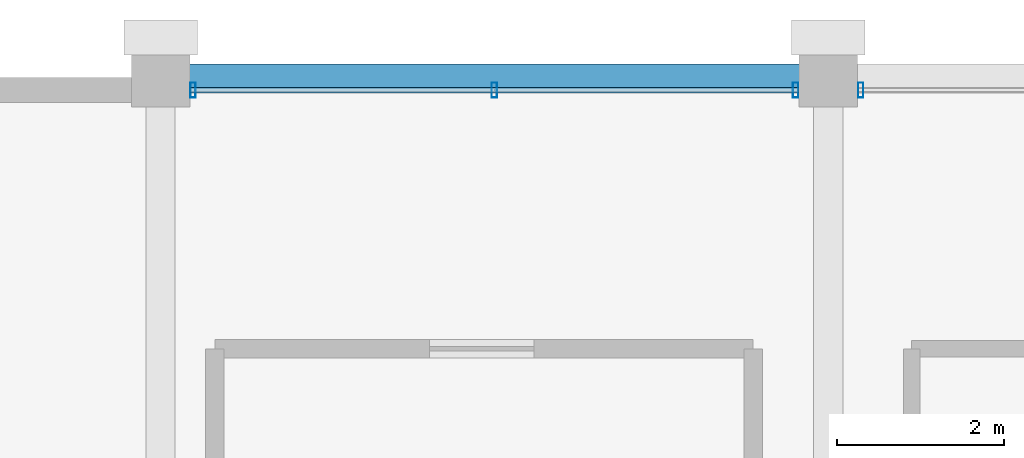
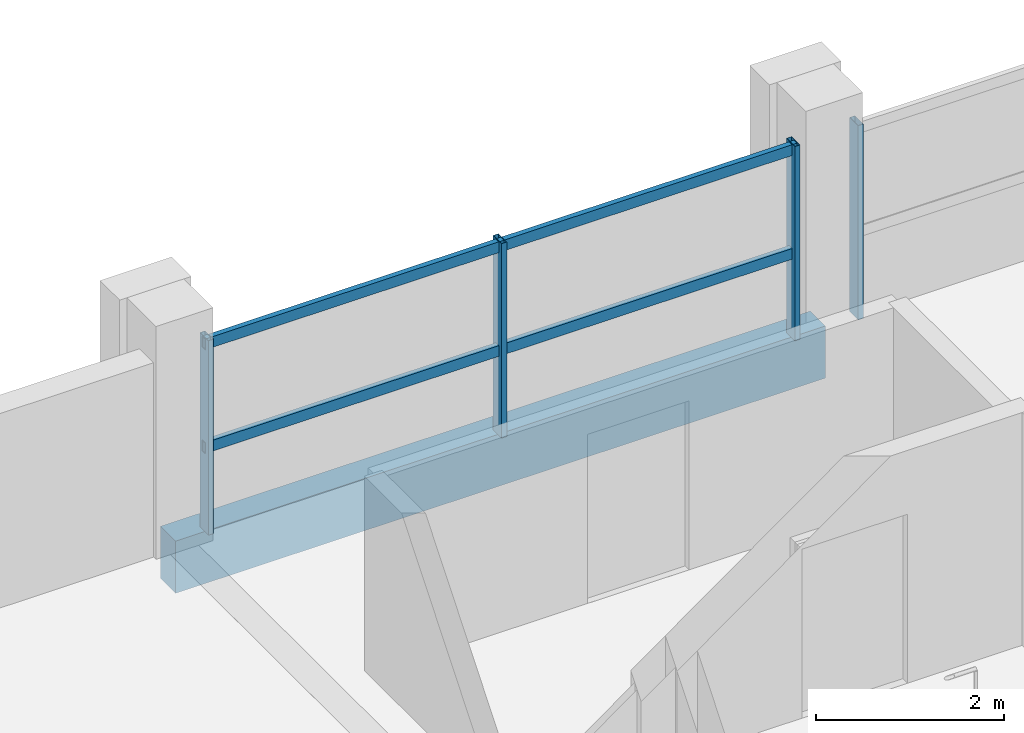
# One storey, part 14 of 25: 6 members, 1 beam, 2 elements without a shape of their own.
"""IFC4 building model written with IfcOpenShell, lengths in metres."""

from ifc_helpers import new_model, si_unit, direction, frame, origin, origin_2d, place, context, subcontext, project, spatial, rectangle, hollow_rectangle, extrude, material, material_profile, profile_set, type_object, element, aggregate, save


model = new_model("IFC4")

# Units and contexts
model_context = context("Model", 3, precision=1e-05, world=origin(), true_north=direction((0.0, 1.0)))
body_context = subcontext(model_context, "Body", "Model", "MODEL_VIEW")
ifc_project = project(units=[si_unit("LENGTHUNIT", "METRE"), si_unit("AREAUNIT", "SQUARE_METRE"), si_unit("VOLUMEUNIT", "CUBIC_METRE"), si_unit("PLANEANGLEUNIT", "RADIAN"), si_unit("MASSUNIT", "GRAM", prefix="KILO")], contexts=[model_context])

# Site, building, storey
site_placement = place(None, origin())
site = spatial("IfcSite", under=ifc_project, at=site_placement, CompositionType="ELEMENT")
building_placement = place(site_placement, origin())
building = spatial("IfcBuilding", under=site, at=building_placement, Name="Akrevak Sports Hall", CompositionType="ELEMENT")
storey_placement = place(building_placement, frame((0.0, 0.0, 50.300048828125)))
storey = spatial("IfcBuildingStorey", under=building, at=storey_placement, Name="L12", CompositionType="ELEMENT", Elevation=50.300048828125)

# Curtain wall, member
ifc_material_1 = material(Name="Anodized Bronze Aluminium & Low-E Glass", Category="aluminium")
curtain_wall_type = type_object("IfcCurtainWallType", Name="ARC-CW-TWR-72x30", PredefinedType="NOTDEFINED", material=ifc_material_1)
curtain_wall_1_placement = place(storey_placement, origin())
curtain_wall_1 = element("IfcCurtainWall", 1, at=curtain_wall_1_placement, inside=storey, type_object=curtain_wall_type, Name="Curtain Wall CW-L12-N23", PredefinedType="NOTDEFINED")
ifc_material_2 = material(Name="Anodized Bronze Aluminium", Category="aluminium")
ifc_material_profile_1 = material_profile(ifc_material_2, hollow_rectangle(XDim=0.06494140625, YDim=0.179931640625, WallThickness=0.00390625, at=origin_2d()), Name="CWM 65x180", Category="aluminium")
ifc_profile_set_1 = profile_set([ifc_material_profile_1], Name="Anodized Bronze Aluminium")
member_type_1 = type_object("IfcMemberType", Name="ARC-CWM-65x140", PredefinedType="MULLION", material=ifc_profile_set_1)
member_1_placement = place(storey_placement, frame((68.389892578125, 69.449951171875, 0.0), z_axis=(0.0, 0.0, 1.0), x_axis=(-1.0, 0.0, 0.0)))
member_1 = element("IfcMember", 2, at=member_1_placement, type_object=member_type_1, Name="Curtain Wall Mullion CW-L12-N23-M3", PredefinedType="MULLION", context=body_context, shape_type="SweptSolid", body=[
    extrude(hollow_rectangle(XDim=0.06494140625, YDim=0.179931640625, WallThickness=0.00390625, at=origin_2d()), origin(), (0.0, 0.0, 1.0), 2.530029296875),
])
aggregate(curtain_wall_1, [member_1])

# Curtain wall, members
curtain_wall_2_placement = place(storey_placement, origin())
curtain_wall_2 = element("IfcCurtainWall", 3, at=curtain_wall_2_placement, inside=storey, type_object=curtain_wall_type, Name="Curtain Wall CW-L12-N24", PredefinedType="NOTDEFINED")
member_2_placement = place(storey_placement, frame((67.610107421875, 69.449951171875, 0.0), z_axis=(0.0, 0.0, 1.0), x_axis=(-1.0, 0.0, 0.0)))
member_2 = element("IfcMember", 4, at=member_2_placement, type_object=member_type_1, Name="Curtain Wall Mullion CW-L12-N24-M1", PredefinedType="MULLION", context=body_context, shape_type="SweptSolid", body=[
    extrude(hollow_rectangle(XDim=0.06494140625, YDim=0.179931640625, WallThickness=0.00390625, at=origin_2d()), origin(), (0.0, 0.0, 1.0), 2.530029296875),
])
member_3_placement = place(storey_placement, frame((64.0, 69.449951171875, 0.0), z_axis=(0.0, 0.0, 1.0), x_axis=(-1.0, 0.0, 0.0)))
member_3 = element("IfcMember", 5, at=member_3_placement, type_object=member_type_1, Name="Curtain Wall Mullion CW-L12-N24-M2", PredefinedType="MULLION", context=body_context, shape_type="SweptSolid", body=[
    extrude(hollow_rectangle(XDim=0.06494140625, YDim=0.179931640625, WallThickness=0.00390625, at=origin_2d()), origin(), (0.0, 0.0, 1.0), 2.530029296875),
])
member_4_placement = place(storey_placement, frame((60.389892578125, 69.449951171875, 0.0), z_axis=(0.0, 0.0, 1.0), x_axis=(-1.0, 0.0, 0.0)))
member_4 = element("IfcMember", 6, at=member_4_placement, type_object=member_type_1, Name="Curtain Wall Mullion CW-L12-N24-M3", PredefinedType="MULLION", context=body_context, shape_type="SweptSolid", body=[
    extrude(hollow_rectangle(XDim=0.06494140625, YDim=0.179931640625, WallThickness=0.00390625, at=origin_2d()), origin(), (0.0, 0.0, 1.0), 2.530029296875),
])
ifc_material_profile_2 = material_profile(ifc_material_2, hollow_rectangle(XDim=0.06494140625, YDim=0.139892578125, WallThickness=0.00390625, at=origin_2d()), Name="CWT 65x140", Category="aluminium")
ifc_profile_set_2 = profile_set([ifc_material_profile_2], Name="Anodized Bronze Aluminium")
member_type_2 = type_object("IfcMemberType", Name="ARC-CWT-65x110", PredefinedType="USERDEFINED", material=ifc_profile_set_2)
member_5_placement = place(storey_placement, frame((67.64990234375, 69.449951171875, 1.099853515625), z_axis=(-1.0, 0.0, 0.0), x_axis=(0.0, -1.0, 0.0)))
member_5 = element("IfcMember", 7, at=member_5_placement, type_object=member_type_2, Name="Curtain Wall Transom CW-L12-N24-T1", ObjectType="TRANSOM", PredefinedType="USERDEFINED", context=body_context, shape_type="SweptSolid", body=[
    extrude(hollow_rectangle(XDim=0.06494140625, YDim=0.139892578125, WallThickness=0.00390625, at=origin_2d()), origin(), (0.0, 0.0, 1.0), 7.2998046875),
])
member_6_placement = place(storey_placement, frame((67.64990234375, 69.449951171875, 2.449951171875), z_axis=(-1.0, 0.0, 0.0), x_axis=(0.0, -1.0, 0.0)))
member_6 = element("IfcMember", 8, at=member_6_placement, type_object=member_type_2, Name="Curtain Wall Transom CW-L12-N24-T2", ObjectType="TRANSOM", PredefinedType="USERDEFINED", context=body_context, shape_type="SweptSolid", body=[
    extrude(hollow_rectangle(XDim=0.06494140625, YDim=0.139892578125, WallThickness=0.00390625, at=origin_2d()), origin(), (0.0, 0.0, 1.0), 7.2998046875),
])
aggregate(curtain_wall_2, [member_2, member_3, member_4, member_5, member_6])

# Beam
ifc_material_3 = material(Name="Concrete C40/50", Category="concrete")
ifc_material_profile_3 = material_profile(ifc_material_3, rectangle(XDim=0.320068359375, YDim=0.679931640625, at=origin_2d()), Name="SPD 320x680", Category="concrete")
ifc_profile_set_3 = profile_set([ifc_material_profile_3], Name="Concrete C40/50")
beam_type = type_object("IfcBeamType", Name="STR-SPD-RC320x680", PredefinedType="SPANDREL", material=ifc_profile_set_3)
beam_placement = place(storey_placement, frame((60.0, 69.60009765625, -0.340087890625), z_axis=(1.0, 0.0, 0.0), x_axis=(0.0, 1.0, 0.0)))
element("IfcBeam", 9, at=beam_placement, inside=storey, type_object=beam_type, Name="Girder K/9-10 (L12)", PredefinedType="SPANDREL", context=body_context, shape_type="SweptSolid", body=[
    extrude(rectangle(XDim=0.320068359375, YDim=0.679931640625, at=origin_2d()), origin(), (0.0, 0.0, 1.0), 8.0),
])

save(model, "model.ifc")
